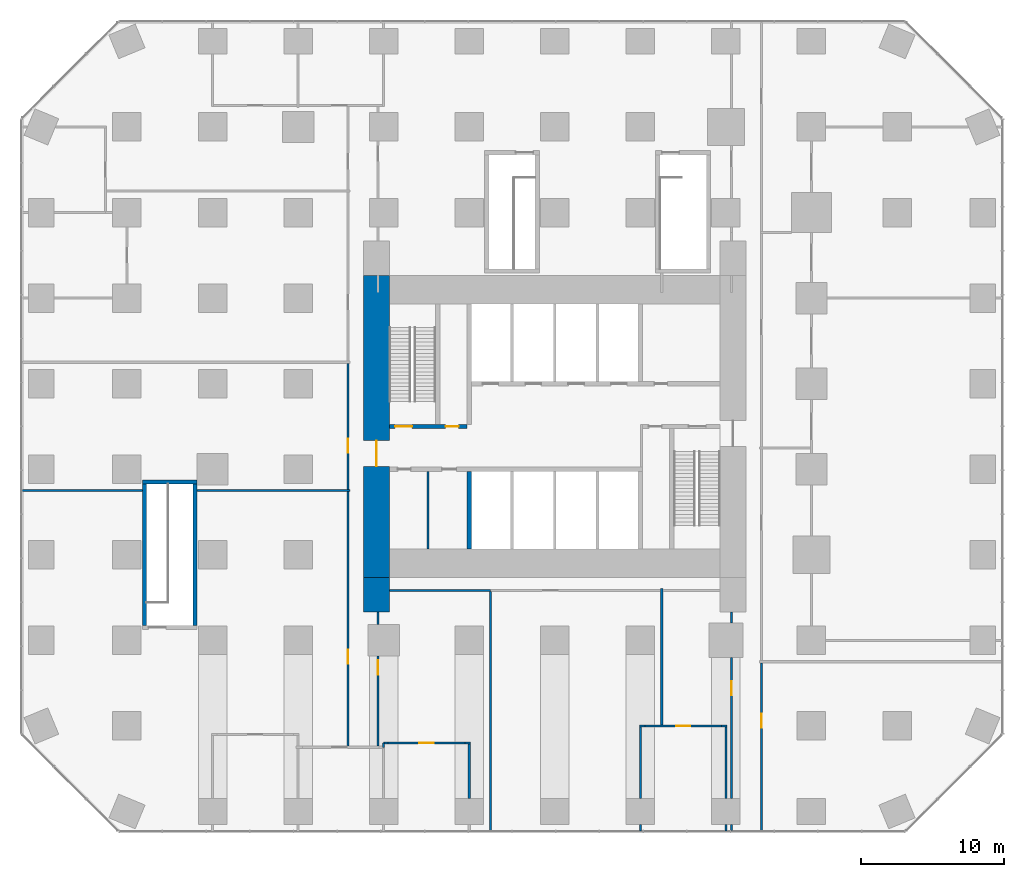
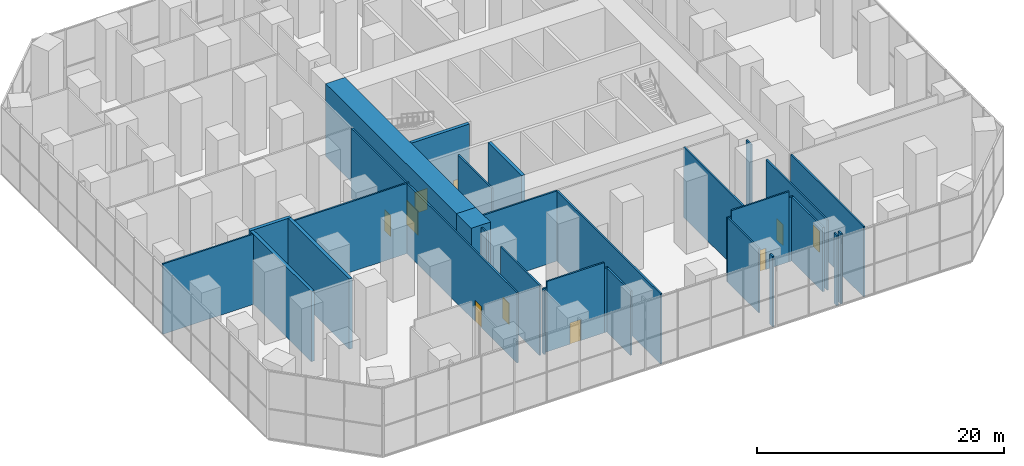
# One storey, part 12 of 16: 33 walls, 10 doors, 10 openings.
"""IFC4 building model written with IfcOpenShell, lengths in metres."""

from ifc_helpers import new_model, si_unit, direction, frame, frame_2d, origin, place, context, subcontext, project, spatial, rectangle, extrude, material, layer, layer_set, type_object, element, fill, save


model = new_model("IFC4")

# Units and contexts
model_context = context("Model", 3, precision=1e-05, world=origin(), true_north=direction((0.0, 1.0)))
body_context = subcontext(model_context, "Body", "Model", "MODEL_VIEW")
ifc_project = project(units=[si_unit("LENGTHUNIT", "METRE"), si_unit("AREAUNIT", "SQUARE_METRE"), si_unit("VOLUMEUNIT", "CUBIC_METRE"), si_unit("PLANEANGLEUNIT", "RADIAN"), si_unit("MASSUNIT", "GRAM", prefix="KILO")], contexts=[model_context])

# Site, building, storey
site_placement = place(None, origin())
site = spatial("IfcSite", under=ifc_project, at=site_placement, CompositionType="ELEMENT")
building_placement = place(site_placement, origin())
building = spatial("IfcBuilding", under=site, at=building_placement, Name="Highveld Stack Headquarters", CompositionType="ELEMENT")
storey_placement = place(building_placement, frame((0.0, 0.0, 11.0)))
storey = spatial("IfcBuildingStorey", under=building, at=storey_placement, Name="L02", CompositionType="ELEMENT", Elevation=11.0)

# Wall, opening, door
ifc_material_1 = material(Name="Concrete C60/75", Category="concrete")
ifc_layer_1 = layer(ifc_material_1, 1.800048828125)
ifc_layer_set_1 = layer_set([ifc_layer_1], Name="Concrete C60/75")
wall_type_1 = type_object("IfcWallType", Name="CORE WALL 1800 C60/75", PredefinedType="SHEAR", material=ifc_layer_set_1)
wall_1_placement = place(storey_placement, frame((-6.5, -7.60009765625, 0.0), z_axis=(0.0, 0.0, 1.0), x_axis=(0.0, 1.0, 0.0)))
wall_1 = element("IfcWall", 1, at=wall_1_placement, inside=storey, type_object=wall_type_1, Name="Core wall W L02", PredefinedType="SHEAR", context=body_context, shape_type="SweptSolid", body=[
    extrude(rectangle(XDim=21.2001953125, YDim=1.800048828125, at=frame_2d((10.60009765625, 0.0))), origin(), (0.0, 0.0, 1.0), 7.199951171875),
])
opening_1_placement = place(wall_1_placement, frame((7.800048828125, 0.0, 0.0)))
opening_1 = element("IfcOpeningElement", 2, at=opening_1_placement, cuts=wall_1, Name="Opening L02-01", PredefinedType="OPENING", context=body_context, shape_type="SweptSolid", body=[
    extrude(rectangle(XDim=1.800048828125, YDim=2.39990234375, at=frame_2d((0.89990234375, 1.199951171875))), frame((0.0, 0.909912109375, 0.0), z_axis=(0.0, -1.0, 0.0), x_axis=(1.0, 0.0, 0.0)), (0.0, 0.0, 1.0), 1.820068359375),
])
ifc_material_2 = material(Name="Steel fire door", Category="steel")
door_type_1 = type_object("IfcDoorType", Name="LOBBY FIRE DOOR D4 1800x2400", OperationType="DOUBLE_DOOR_SINGLE_SWING", PredefinedType="DOOR", material=ifc_material_2)
door_1_placement = place(opening_1_placement, origin())
door_1 = element("IfcDoor", 3, at=door_1_placement, inside=storey, type_object=door_type_1, Name="Core west door L02", OperationType="DOUBLE_DOOR_SINGLE_SWING", OverallHeight=2.39990234375, OverallWidth=1.800048828125, PredefinedType="DOOR", context=body_context, shape_type="SweptSolid", body=[
    extrude(rectangle(XDim=1.800048828125, YDim=2.39990234375, at=frame_2d((0.89990234375, 1.199951171875))), frame((0.0, 0.02490234375, 0.0), z_axis=(0.0, -1.0, 0.0), x_axis=(1.0, 0.0, 0.0)), (0.0, 0.0, 1.0), 0.050048828125),
])
fill(opening_1, door_1)

# Wall, openings, doors
ifc_material_3 = material(Name="Concrete C60/75", Category="concrete")
ifc_layer_2 = layer(ifc_material_3, 0.300048828125)
ifc_layer_set_2 = layer_set([ifc_layer_2], Name="Concrete C60/75")
wall_type_2 = type_object("IfcWallType", Name="CORE WALL 300 C60/75", PredefinedType="SHEAR", material=ifc_layer_set_2)
wall_2_placement = place(storey_placement, frame((-5.60009765625, 3.0, 0.0), z_axis=(0.0, 0.0, 1.0), x_axis=(1.0, 0.0, 0.0)))
wall_2 = element("IfcWall", 4, at=wall_2_placement, inside=storey, type_object=wall_type_2, Name="Core wall I-Y3W L02", PredefinedType="SHEAR", context=body_context, shape_type="SweptSolid", body=[
    extrude(rectangle(XDim=5.4501953125, YDim=0.300048828125, at=frame_2d((2.72509765625, 0.0))), origin(), (0.0, 0.0, 1.0), 7.199951171875),
])
opening_2_placement = place(wall_2_placement, frame((0.39990234375, 0.0, 0.0)))
opening_2 = element("IfcOpeningElement", 5, at=opening_2_placement, cuts=wall_2, Name="Opening L02-03", PredefinedType="OPENING", context=body_context, shape_type="SweptSolid", body=[
    extrude(rectangle(XDim=1.199951171875, YDim=2.10009765625, at=frame_2d((0.60009765625, 1.050048828125))), frame((0.0, 0.159912109375, 0.0), z_axis=(0.0, -1.0, 0.0), x_axis=(1.0, 0.0, 0.0)), (0.0, 0.0, 1.0), 0.320068359375),
])
opening_3_placement = place(wall_2_placement, frame((3.949951171875, 0.0, 0.0)))
opening_3 = element("IfcOpeningElement", 6, at=opening_3_placement, cuts=wall_2, Name="Opening L02-04", PredefinedType="OPENING", context=body_context, shape_type="SweptSolid", body=[
    extrude(rectangle(XDim=0.89990234375, YDim=2.10009765625, at=frame_2d((0.449951171875, 1.050048828125))), frame((0.0, 0.159912109375, 0.0), z_axis=(0.0, -1.0, 0.0), x_axis=(1.0, 0.0, 0.0)), (0.0, 0.0, 1.0), 0.320068359375),
])
ifc_material_4 = material(Name="Steel fire door", Category="steel")
door_type_2 = type_object("IfcDoorType", Name="RISER ACCESS DOOR D5 900x2100", OperationType="SINGLE_SWING_LEFT", PredefinedType="DOOR", material=ifc_material_4)
door_2_placement = place(opening_3_placement, origin())
door_2 = element("IfcDoor", 7, at=door_2_placement, inside=storey, type_object=door_type_2, Name="Riser R1 door L02", OperationType="SINGLE_SWING_RIGHT", OverallHeight=2.10009765625, OverallWidth=0.89990234375, PredefinedType="DOOR", context=body_context, shape_type="SweptSolid", body=[
    extrude(rectangle(XDim=0.89990234375, YDim=2.10009765625, at=frame_2d((0.449951171875, 1.050048828125))), frame((0.0, 0.02490234375, 0.0), z_axis=(0.0, -1.0, 0.0), x_axis=(1.0, 0.0, 0.0)), (0.0, 0.0, 1.0), 0.050048828125),
])
fill(opening_3, door_2)
ifc_material_5 = material(Name="Steel fire door", Category="steel")
door_type_3 = type_object("IfcDoorType", Name="STAIR FIRE DOOR D3 1200x2100", OperationType="SINGLE_SWING_LEFT", PredefinedType="DOOR", material=ifc_material_5)
door_3_placement = place(opening_2_placement, origin())
door_3 = element("IfcDoor", 8, at=door_3_placement, inside=storey, type_object=door_type_3, Name="Stair S1 door L02", OperationType="SINGLE_SWING_LEFT", OverallHeight=2.10009765625, OverallWidth=1.199951171875, PredefinedType="DOOR", context=body_context, shape_type="SweptSolid", body=[
    extrude(rectangle(XDim=1.199951171875, YDim=2.10009765625, at=frame_2d((0.60009765625, 1.050048828125))), frame((0.0, 0.02490234375, 0.0), z_axis=(0.0, -1.0, 0.0), x_axis=(1.0, 0.0, 0.0)), (0.0, 0.0, 1.0), 0.050048828125),
])
fill(opening_2, door_3)

# Walls
wall_3_placement = place(storey_placement, frame((0.0, -5.60009765625, 0.0), z_axis=(0.0, 0.0, 1.0), x_axis=(0.0, 1.0, 0.0)))
element("IfcWall", 9, at=wall_3_placement, inside=storey, type_object=wall_type_2, Name="Core wall I-X0S L02", PredefinedType="SHEAR", context=body_context, shape_type="SweptSolid", body=[
    extrude(rectangle(XDim=5.4501953125, YDim=0.300048828125, at=frame_2d((2.72509765625, 0.0))), origin(), (0.0, 0.0, 1.0), 7.199951171875),
])
ifc_material_6 = material(Name="Concrete C60/75", Category="concrete")
ifc_layer_3 = layer(ifc_material_6, 1.800048828125)
ifc_layer_set_3 = layer_set([ifc_layer_3], Name="Concrete C60/75")
wall_type_3 = type_object("IfcWallType", Name="CORE WING WALL 1800 C60/75", PredefinedType="SHEAR", material=ifc_layer_set_3)
wall_4_placement = place(storey_placement, frame((-6.5, -10.0, 0.0), z_axis=(0.0, 0.0, 1.0), x_axis=(0.0, 1.0, 0.0)))
element("IfcWall", 10, at=wall_4_placement, inside=storey, type_object=wall_type_3, Name="Core wing wall WS L02", PredefinedType="SHEAR", context=body_context, shape_type="SweptSolid", body=[
    extrude(rectangle(XDim=2.39990234375, YDim=1.800048828125, at=frame_2d((1.199951171875, 0.0))), origin(), (0.0, 0.0, 1.0), 7.199951171875),
])
ifc_material_7 = material(Name="Laminated glass in aluminium frame", Category="aluminium")
ifc_layer_4 = layer(ifc_material_7, 0.14990234375)
ifc_layer_set_4 = layer_set([ifc_layer_4], Name="Laminated glass in aluminium frame")
wall_type_4 = type_object("IfcWallType", Name="GLAZED PARTITION 150", PredefinedType="PARTITIONING", material=ifc_layer_set_4)
wall_5_placement = place(storey_placement, frame((11.925048828125, -18.0, 0.0), z_axis=(0.0, 0.0, 1.0), x_axis=(1.0, 0.0, 0.0)))
element("IfcWall", 11, at=wall_5_placement, inside=storey, type_object=wall_type_4, Name="Glazed partition Meeting room L02", PredefinedType="PARTITIONING", context=body_context, shape_type="SweptSolid", body=[
    extrude(rectangle(XDim=0.385009765625, YDim=0.14990234375, at=frame_2d((0.1923828125, 0.0))), origin(), (0.0, 0.0, 1.0), 6.35009765625),
])

# Wall, opening, door
wall_6_placement = place(storey_placement, frame((12.31005859375, -18.0, 0.0), z_axis=(0.0, 0.0, 1.0), x_axis=(1.0, 0.0, 0.0)))
wall_6 = element("IfcWall", 12, at=wall_6_placement, inside=storey, type_object=wall_type_4, Name="Glazed partition Meeting room L02", PredefinedType="PARTITIONING", context=body_context, shape_type="SweptSolid", body=[
    extrude(rectangle(XDim=5.3798828125, YDim=0.14990234375, at=frame_2d((2.68994140625, 0.0))), origin(), (0.0, 0.0, 1.0), 6.949951171875),
])
opening_4_placement = place(wall_6_placement, frame((2.18994140625, 0.0, 0.0)))
opening_4 = element("IfcOpeningElement", 13, at=opening_4_placement, cuts=wall_6, Name="Opening L02-20", PredefinedType="OPENING", context=body_context, shape_type="SweptSolid", body=[
    extrude(rectangle(XDim=1.0, YDim=2.10009765625, at=frame_2d((0.5, 1.050048828125))), frame((0.0, 0.0849609375, 0.0), z_axis=(0.0, -1.0, 0.0), x_axis=(1.0, 0.0, 0.0)), (0.0, 0.0, 1.0), 0.169921875),
])
ifc_material_8 = material(Name="Timber door, oiled ash", Category="wood")
door_type_4 = type_object("IfcDoorType", Name="ROOM DOOR D6 1000x2100", OperationType="SINGLE_SWING_LEFT", PredefinedType="DOOR", material=ifc_material_8)
door_4_placement = place(opening_4_placement, origin())
door_4 = element("IfcDoor", 14, at=door_4_placement, inside=storey, type_object=door_type_4, Name="Meeting room door 1 L02", OperationType="SINGLE_SWING_LEFT", OverallHeight=2.10009765625, OverallWidth=1.0, PredefinedType="DOOR", context=body_context, shape_type="SweptSolid", body=[
    extrude(rectangle(XDim=1.0, YDim=2.10009765625, at=frame_2d((0.5, 1.050048828125))), frame((0.0, 0.02490234375, 0.0), z_axis=(0.0, -1.0, 0.0), x_axis=(1.0, 0.0, 0.0)), (0.0, 0.0, 1.0), 0.050048828125),
])
fill(opening_4, door_4)

# Walls
wall_7_placement = place(storey_placement, frame((17.68994140625, -18.0, 0.0), z_axis=(0.0, 0.0, 1.0), x_axis=(1.0, 0.0, 0.0)))
element("IfcWall", 15, at=wall_7_placement, inside=storey, type_object=wall_type_4, Name="Glazed partition Meeting room L02", PredefinedType="PARTITIONING", context=body_context, shape_type="SweptSolid", body=[
    extrude(rectangle(XDim=0.385009765625, YDim=0.14990234375, at=frame_2d((0.1923828125, 0.0))), origin(), (0.0, 0.0, 1.0), 6.35009765625),
])
ifc_material_9 = material(Name="Gypsum plasterboard on steel studs", Category="steel")
ifc_layer_5 = layer(ifc_material_9, 0.14990234375)
ifc_layer_set_5 = layer_set([ifc_layer_5], Name="Gypsum plasterboard on steel studs")
wall_type_5 = type_object("IfcWallType", Name="PARTITION 150 PLASTERBOARD", PredefinedType="PARTITIONING", material=ifc_layer_set_5)
wall_8_placement = place(storey_placement, frame((-6.0, -19.199951171875, 0.0), z_axis=(0.0, 0.0, 1.0), x_axis=(1.0, 0.0, 0.0)))
element("IfcWall", 16, at=wall_8_placement, inside=storey, type_object=wall_type_5, Name="Partition Tea kitchen L02", PredefinedType="PARTITIONING", context=body_context, shape_type="SweptSolid", body=[
    extrude(rectangle(XDim=0.31005859375, YDim=0.14990234375, at=frame_2d((0.155029296875, 0.0))), origin(), (0.0, 0.0, 1.0), 6.35009765625),
])

# Wall, opening, door
wall_9_placement = place(storey_placement, frame((-5.68994140625, -19.199951171875, 0.0), z_axis=(0.0, 0.0, 1.0), x_axis=(1.0, 0.0, 0.0)))
wall_9 = element("IfcWall", 17, at=wall_9_placement, inside=storey, type_object=wall_type_5, Name="Partition Tea kitchen L02", PredefinedType="PARTITIONING", context=body_context, shape_type="SweptSolid", body=[
    extrude(rectangle(XDim=5.3798828125, YDim=0.14990234375, at=frame_2d((2.68994140625, 0.0))), origin(), (0.0, 0.0, 1.0), 6.949951171875),
])
opening_5_placement = place(wall_9_placement, frame((2.18994140625, 0.0, 0.0)))
opening_5 = element("IfcOpeningElement", 18, at=opening_5_placement, cuts=wall_9, Name="Opening L02-19", PredefinedType="OPENING", context=body_context, shape_type="SweptSolid", body=[
    extrude(rectangle(XDim=1.0, YDim=2.10009765625, at=frame_2d((0.5, 1.050048828125))), frame((0.0, 0.0849609375, 0.0), z_axis=(0.0, -1.0, 0.0), x_axis=(1.0, 0.0, 0.0)), (0.0, 0.0, 1.0), 0.169921875),
])
door_5_placement = place(opening_5_placement, origin())
door_5 = element("IfcDoor", 19, at=door_5_placement, inside=storey, type_object=door_type_4, Name="Tea kitchen door 1 L02", OperationType="SINGLE_SWING_RIGHT", OverallHeight=2.10009765625, OverallWidth=1.0, PredefinedType="DOOR", context=body_context, shape_type="SweptSolid", body=[
    extrude(rectangle(XDim=1.0, YDim=2.10009765625, at=frame_2d((0.5, 1.050048828125))), frame((0.0, 0.02490234375, 0.0), z_axis=(0.0, -1.0, 0.0), x_axis=(1.0, 0.0, 0.0)), (0.0, 0.0, 1.0), 0.050048828125),
])
fill(opening_5, door_5)

# Walls
wall_10_placement = place(storey_placement, frame((-0.31005859375, -19.199951171875, 0.0), z_axis=(0.0, 0.0, 1.0), x_axis=(1.0, 0.0, 0.0)))
element("IfcWall", 20, at=wall_10_placement, inside=storey, type_object=wall_type_5, Name="Partition Tea kitchen L02", PredefinedType="PARTITIONING", context=body_context, shape_type="SweptSolid", body=[
    extrude(rectangle(XDim=0.385009765625, YDim=0.14990234375, at=frame_2d((0.1923828125, 0.0))), origin(), (0.0, 0.0, 1.0), 6.35009765625),
])
wall_11_placement = place(storey_placement, frame((-6.0, -19.5, 0.0), z_axis=(0.0, 0.0, 1.0), x_axis=(0.0, 1.0, 0.0)))
element("IfcWall", 21, at=wall_11_placement, inside=storey, type_object=wall_type_5, Name="Partition Tea kitchen L02", PredefinedType="PARTITIONING", context=body_context, shape_type="SweptSolid", body=[
    extrude(rectangle(XDim=0.300048828125, YDim=0.14990234375, at=frame_2d((0.14990234375, 0.0))), origin(), (0.0, 0.0, 1.0), 6.35009765625),
])
wall_12_placement = place(storey_placement, frame((0.0, -23.10009765625, 0.0), z_axis=(0.0, 0.0, 1.0), x_axis=(0.0, 1.0, 0.0)))
element("IfcWall", 22, at=wall_12_placement, inside=storey, type_object=wall_type_5, Name="Partition Tea kitchen L02", PredefinedType="PARTITIONING", context=body_context, shape_type="SweptSolid", body=[
    extrude(rectangle(XDim=3.8251953125, YDim=0.14990234375, at=frame_2d((1.91259765625, 0.0))), origin(), (0.0, 0.0, 1.0), 6.35009765625),
])
wall_13_placement = place(storey_placement, frame((12.0, -25.375, 0.0), z_axis=(0.0, 0.0, 1.0), x_axis=(0.0, 1.0, 0.0)))
element("IfcWall", 23, at=wall_13_placement, inside=storey, type_object=wall_type_5, Name="Partition Meeting room L02", PredefinedType="PARTITIONING", context=body_context, shape_type="SweptSolid", body=[
    extrude(rectangle(XDim=0.47509765625, YDim=0.14990234375, at=frame_2d((0.237548828125, 0.0))), origin(), (0.0, 0.0, 1.0), 6.949951171875),
])
wall_14_placement = place(storey_placement, frame((12.0, -23.10009765625, 0.0), z_axis=(0.0, 0.0, 1.0), x_axis=(0.0, 1.0, 0.0)))
element("IfcWall", 24, at=wall_14_placement, inside=storey, type_object=wall_type_5, Name="Partition Meeting room L02", PredefinedType="PARTITIONING", context=body_context, shape_type="SweptSolid", body=[
    extrude(rectangle(XDim=5.025146484375, YDim=0.14990234375, at=frame_2d((2.5126953125, 0.0))), origin(), (0.0, 0.0, 1.0), 6.35009765625),
])
wall_15_placement = place(storey_placement, frame((18.0, -25.375, 0.0), z_axis=(0.0, 0.0, 1.0), x_axis=(0.0, 1.0, 0.0)))
element("IfcWall", 25, at=wall_15_placement, inside=storey, type_object=wall_type_5, Name="Partition Meeting room L02", PredefinedType="PARTITIONING", context=body_context, shape_type="SweptSolid", body=[
    extrude(rectangle(XDim=0.47509765625, YDim=0.14990234375, at=frame_2d((0.237548828125, 0.0))), origin(), (0.0, 0.0, 1.0), 6.949951171875),
])
wall_16_placement = place(storey_placement, frame((18.0, -23.10009765625, 0.0), z_axis=(0.0, 0.0, 1.0), x_axis=(0.0, 1.0, 0.0)))
element("IfcWall", 26, at=wall_16_placement, inside=storey, type_object=wall_type_5, Name="Partition Meeting room L02", PredefinedType="PARTITIONING", context=body_context, shape_type="SweptSolid", body=[
    extrude(rectangle(XDim=5.025146484375, YDim=0.14990234375, at=frame_2d((2.5126953125, 0.0))), origin(), (0.0, 0.0, 1.0), 6.35009765625),
])
wall_17_placement = place(storey_placement, frame((-31.375, -1.5, 0.0), z_axis=(0.0, 0.0, 1.0), x_axis=(1.0, 0.0, 0.0)))
element("IfcWall", 27, at=wall_17_placement, inside=storey, type_object=wall_type_5, Name="Partition office neighbourhood L02", PredefinedType="PARTITIONING", context=body_context, shape_type="SweptSolid", body=[
    extrude(rectangle(XDim=8.449951171875, YDim=0.14990234375, at=frame_2d((4.22509765625, 0.0))), origin(), (0.0, 0.0, 1.0), 6.949951171875),
])
wall_18_placement = place(storey_placement, frame((-19.074951171875, -1.5, 0.0), z_axis=(0.0, 0.0, 1.0), x_axis=(1.0, 0.0, 0.0)))
element("IfcWall", 28, at=wall_18_placement, inside=storey, type_object=wall_type_5, Name="Partition office neighbourhood L02", PredefinedType="PARTITIONING", context=body_context, shape_type="SweptSolid", body=[
    extrude(rectangle(XDim=10.724853515625, YDim=0.14990234375, at=frame_2d((5.3623046875, 0.0))), origin(), (0.0, 0.0, 1.0), 6.949951171875),
])

# Wall, opening, door
wall_19_placement = place(storey_placement, frame((-8.5, -19.425048828125, 0.0), z_axis=(0.0, 0.0, 1.0), x_axis=(0.0, 1.0, 0.0)))
wall_19 = element("IfcWall", 29, at=wall_19_placement, inside=storey, type_object=wall_type_5, Name="Partition office neighbourhood L02", PredefinedType="PARTITIONING", context=body_context, shape_type="SweptSolid", body=[
    extrude(rectangle(XDim=17.85009765625, YDim=0.14990234375, at=frame_2d((8.925048828125, 0.0))), origin(), (0.0, 0.0, 1.0), 6.949951171875),
])
opening_6_placement = place(wall_19_placement, frame((5.77392578125, 0.0, 0.0)))
opening_6 = element("IfcOpeningElement", 30, at=opening_6_placement, cuts=wall_19, Name="Opening L02-28", PredefinedType="OPENING", context=body_context, shape_type="SweptSolid", body=[
    extrude(rectangle(XDim=1.0, YDim=2.10009765625, at=frame_2d((0.5, 1.050048828125))), frame((0.0, 0.0849609375, 0.0), z_axis=(0.0, -1.0, 0.0), x_axis=(1.0, 0.0, 0.0)), (0.0, 0.0, 1.0), 0.169921875),
])
door_6_placement = place(opening_6_placement, origin())
door_6 = element("IfcDoor", 31, at=door_6_placement, inside=storey, type_object=door_type_4, Name="Office neighbourhood door L02", OperationType="SINGLE_SWING_LEFT", OverallHeight=2.10009765625, OverallWidth=1.0, PredefinedType="DOOR", context=body_context, shape_type="SweptSolid", body=[
    extrude(rectangle(XDim=1.0, YDim=2.10009765625, at=frame_2d((0.5, 1.050048828125))), frame((0.0, 0.02490234375, 0.0), z_axis=(0.0, -1.0, 0.0), x_axis=(1.0, 0.0, 0.0)), (0.0, 0.0, 1.0), 0.050048828125),
])
fill(opening_6, door_6)

wall_20_placement = place(storey_placement, frame((-8.5, -1.425048828125, 0.0), z_axis=(0.0, 0.0, 1.0), x_axis=(0.0, 1.0, 0.0)))
wall_20 = element("IfcWall", 32, at=wall_20_placement, inside=storey, type_object=wall_type_5, Name="Partition office neighbourhood L02", PredefinedType="PARTITIONING", context=body_context, shape_type="SweptSolid", body=[
    extrude(rectangle(XDim=8.85009765625, YDim=0.14990234375, at=frame_2d((4.425048828125, 0.0))), origin(), (0.0, 0.0, 1.0), 6.949951171875),
])
opening_7_placement = place(wall_20_placement, frame((2.574951171875, 0.0, 0.0)))
opening_7 = element("IfcOpeningElement", 33, at=opening_7_placement, cuts=wall_20, Name="Opening L02-30", PredefinedType="OPENING", context=body_context, shape_type="SweptSolid", body=[
    extrude(rectangle(XDim=1.0, YDim=2.10009765625, at=frame_2d((0.5, 1.050048828125))), frame((0.0, 0.0849609375, 0.0), z_axis=(0.0, -1.0, 0.0), x_axis=(1.0, 0.0, 0.0)), (0.0, 0.0, 1.0), 0.169921875),
])
door_7_placement = place(opening_7_placement, origin())
door_7 = element("IfcDoor", 34, at=door_7_placement, inside=storey, type_object=door_type_4, Name="Office neighbourhood door L02", OperationType="SINGLE_SWING_LEFT", OverallHeight=2.10009765625, OverallWidth=1.0, PredefinedType="DOOR", context=body_context, shape_type="SweptSolid", body=[
    extrude(rectangle(XDim=1.0, YDim=2.10009765625, at=frame_2d((0.5, 1.050048828125))), frame((0.0, 0.02490234375, 0.0), z_axis=(0.0, -1.0, 0.0), x_axis=(1.0, 0.0, 0.0)), (0.0, 0.0, 1.0), 0.050048828125),
])
fill(opening_7, door_7)

wall_21_placement = place(storey_placement, frame((-6.39990234375, -19.425048828125, 0.0), z_axis=(0.0, 0.0, 1.0), x_axis=(0.0, 1.0, 0.0)))
wall_21 = element("IfcWall", 35, at=wall_21_placement, inside=storey, type_object=wall_type_5, Name="Partition office neighbourhood L02", PredefinedType="PARTITIONING", context=body_context, shape_type="SweptSolid", body=[
    extrude(rectangle(XDim=6.324951171875, YDim=0.14990234375, at=frame_2d((3.16259765625, 0.0))), origin(), (0.0, 0.0, 1.0), 6.949951171875),
])
opening_8_placement = place(wall_21_placement, frame((5.02490234375, 0.0, 0.0)))
opening_8 = element("IfcOpeningElement", 36, at=opening_8_placement, cuts=wall_21, Name="Opening L02-26", PredefinedType="OPENING", context=body_context, shape_type="SweptSolid", body=[
    extrude(rectangle(XDim=1.0, YDim=2.10009765625, at=frame_2d((0.5, 1.050048828125))), frame((0.0, 0.0849609375, 0.0), z_axis=(0.0, -1.0, 0.0), x_axis=(1.0, 0.0, 0.0)), (0.0, 0.0, 1.0), 0.169921875),
])
door_8_placement = place(opening_8_placement, origin())
door_8 = element("IfcDoor", 37, at=door_8_placement, inside=storey, type_object=door_type_4, Name="Office neighbourhood door L02", OperationType="SINGLE_SWING_RIGHT", OverallHeight=2.10009765625, OverallWidth=1.0, PredefinedType="DOOR", context=body_context, shape_type="SweptSolid", body=[
    extrude(rectangle(XDim=1.0, YDim=2.10009765625, at=frame_2d((0.5, 1.050048828125))), frame((0.0, 0.02490234375, 0.0), z_axis=(0.0, -1.0, 0.0), x_axis=(1.0, 0.0, 0.0)), (0.0, 0.0, 1.0), 0.050048828125),
])
fill(opening_8, door_8)

# Walls
wall_22_placement = place(storey_placement, frame((-6.39990234375, -10.89990234375, 0.0), z_axis=(0.0, 0.0, 1.0), x_axis=(0.0, 1.0, 0.0)))
element("IfcWall", 38, at=wall_22_placement, inside=storey, type_object=wall_type_5, Name="Partition office neighbourhood L02", PredefinedType="PARTITIONING", context=body_context, shape_type="SweptSolid", body=[
    extrude(rectangle(XDim=0.89990234375, YDim=0.14990234375, at=frame_2d((0.449951171875, 0.0))), origin(), (0.0, 0.0, 1.0), 6.949951171875),
])
wall_23_placement = place(storey_placement, frame((-5.60009765625, -8.5, 0.0), z_axis=(0.0, 0.0, 1.0), x_axis=(1.0, 0.0, 0.0)))
element("IfcWall", 39, at=wall_23_placement, inside=storey, type_object=wall_type_5, Name="Partition office neighbourhood L02", PredefinedType="PARTITIONING", context=body_context, shape_type="SweptSolid", body=[
    extrude(rectangle(XDim=7.10009765625, YDim=0.14990234375, at=frame_2d((3.550048828125, 0.0))), origin(), (0.0, 0.0, 1.0), 6.949951171875),
])
wall_24_placement = place(storey_placement, frame((1.5, -25.375, 0.0), z_axis=(0.0, 0.0, 1.0), x_axis=(0.0, 1.0, 0.0)))
element("IfcWall", 40, at=wall_24_placement, inside=storey, type_object=wall_type_5, Name="Partition office neighbourhood L02", PredefinedType="PARTITIONING", context=body_context, shape_type="SweptSolid", body=[
    extrude(rectangle(XDim=16.800048828125, YDim=0.14990234375, at=frame_2d((8.39990234375, 0.0))), origin(), (0.0, 0.0, 1.0), 6.949951171875),
])
wall_25_placement = place(storey_placement, frame((13.5, -17.925048828125, 0.0), z_axis=(0.0, 0.0, 1.0), x_axis=(0.0, 1.0, 0.0)))
element("IfcWall", 41, at=wall_25_placement, inside=storey, type_object=wall_type_5, Name="Partition office neighbourhood L02", PredefinedType="PARTITIONING", context=body_context, shape_type="SweptSolid", body=[
    extrude(rectangle(XDim=9.574951171875, YDim=0.14990234375, at=frame_2d((4.78759765625, 0.0))), origin(), (0.0, 0.0, 1.0), 6.949951171875),
])
wall_26_placement = place(storey_placement, frame((18.39990234375, -25.35009765625, 0.0), z_axis=(0.0, 0.0, 1.0), x_axis=(0.0, 1.0, 0.0)))
element("IfcWall", 42, at=wall_26_placement, inside=storey, type_object=wall_type_5, Name="Partition office neighbourhood L02", PredefinedType="PARTITIONING", context=body_context, shape_type="SweptSolid", body=[
    extrude(rectangle(XDim=0.4501953125, YDim=0.14990234375, at=frame_2d((0.22509765625, 0.0))), origin(), (0.0, 0.0, 1.0), 6.949951171875),
])

# Wall, opening, door
wall_27_placement = place(storey_placement, frame((18.39990234375, -23.10009765625, 0.0), z_axis=(0.0, 0.0, 1.0), x_axis=(0.0, 1.0, 0.0)))
wall_27 = element("IfcWall", 43, at=wall_27_placement, inside=storey, type_object=wall_type_5, Name="Partition office neighbourhood L02", PredefinedType="PARTITIONING", context=body_context, shape_type="SweptSolid", body=[
    extrude(rectangle(XDim=9.900146484375, YDim=0.14990234375, at=frame_2d((4.9501953125, 0.0))), origin(), (0.0, 0.0, 1.0), 6.949951171875),
])
opening_9_placement = place(wall_27_placement, frame((7.2451171875, 0.0, 0.0)))
opening_9 = element("IfcOpeningElement", 44, at=opening_9_placement, cuts=wall_27, Name="Opening L02-27", PredefinedType="OPENING", context=body_context, shape_type="SweptSolid", body=[
    extrude(rectangle(XDim=1.0, YDim=2.10009765625, at=frame_2d((0.5, 1.050048828125))), frame((0.0, 0.0849609375, 0.0), z_axis=(0.0, -1.0, 0.0), x_axis=(1.0, 0.0, 0.0)), (0.0, 0.0, 1.0), 0.169921875),
])
door_9_placement = place(opening_9_placement, origin())
door_9 = element("IfcDoor", 45, at=door_9_placement, inside=storey, type_object=door_type_4, Name="Office neighbourhood door L02", OperationType="SINGLE_SWING_RIGHT", OverallHeight=2.10009765625, OverallWidth=1.0, PredefinedType="DOOR", context=body_context, shape_type="SweptSolid", body=[
    extrude(rectangle(XDim=1.0, YDim=2.10009765625, at=frame_2d((0.5, 1.050048828125))), frame((0.0, 0.02490234375, 0.0), z_axis=(0.0, -1.0, 0.0), x_axis=(1.0, 0.0, 0.0)), (0.0, 0.0, 1.0), 0.050048828125),
])
fill(opening_9, door_9)

# Wall
wall_28_placement = place(storey_placement, frame((18.39990234375, -10.800048828125, 0.0), z_axis=(0.0, 0.0, 1.0), x_axis=(0.0, 1.0, 0.0)))
element("IfcWall", 46, at=wall_28_placement, inside=storey, type_object=wall_type_5, Name="Partition office neighbourhood L02", PredefinedType="PARTITIONING", context=body_context, shape_type="SweptSolid", body=[
    extrude(rectangle(XDim=0.800048828125, YDim=0.14990234375, at=frame_2d((0.39990234375, 0.0))), origin(), (0.0, 0.0, 1.0), 6.949951171875),
])

# Wall, opening, door
wall_29_placement = place(storey_placement, frame((20.5, -25.375, 0.0), z_axis=(0.0, 0.0, 1.0), x_axis=(0.0, 1.0, 0.0)))
wall_29 = element("IfcWall", 47, at=wall_29_placement, inside=storey, type_object=wall_type_5, Name="Partition office neighbourhood L02", PredefinedType="PARTITIONING", context=body_context, shape_type="SweptSolid", body=[
    extrude(rectangle(XDim=11.800048828125, YDim=0.14990234375, at=frame_2d((5.89990234375, 0.0))), origin(), (0.0, 0.0, 1.0), 6.949951171875),
])
opening_10_placement = place(wall_29_placement, frame((7.2451171875, 0.0, 0.0)))
opening_10 = element("IfcOpeningElement", 48, at=opening_10_placement, cuts=wall_29, Name="Opening L02-25", PredefinedType="OPENING", context=body_context, shape_type="SweptSolid", body=[
    extrude(rectangle(XDim=1.0, YDim=2.10009765625, at=frame_2d((0.5, 1.050048828125))), frame((0.0, 0.0849609375, 0.0), z_axis=(0.0, -1.0, 0.0), x_axis=(1.0, 0.0, 0.0)), (0.0, 0.0, 1.0), 0.169921875),
])
door_10_placement = place(opening_10_placement, origin())
door_10 = element("IfcDoor", 49, at=door_10_placement, inside=storey, type_object=door_type_4, Name="Office neighbourhood door L02", OperationType="SINGLE_SWING_RIGHT", OverallHeight=2.10009765625, OverallWidth=1.0, PredefinedType="DOOR", context=body_context, shape_type="SweptSolid", body=[
    extrude(rectangle(XDim=1.0, YDim=2.10009765625, at=frame_2d((0.5, 1.050048828125))), frame((0.0, 0.02490234375, 0.0), z_axis=(0.0, -1.0, 0.0), x_axis=(1.0, 0.0, 0.0)), (0.0, 0.0, 1.0), 0.050048828125),
])
fill(opening_10, door_10)

# Walls
ifc_material_10 = material(Name="Concrete blockwork, plastered", Category="masonry")
ifc_layer_6 = layer(ifc_material_10, 0.300048828125)
ifc_layer_set_6 = layer_set([ifc_layer_6], Name="Concrete blockwork, plastered")
wall_type_6 = type_object("IfcWallType", Name="STAIR ENCLOSURE HEAD WALL 300 BLOCKWORK", PredefinedType="PARTITIONING", material=ifc_layer_set_6)
wall_30_placement = place(storey_placement, frame((-22.925048828125, -0.89990234375, 0.0), z_axis=(0.0, 0.0, 1.0), x_axis=(1.0, 0.0, 0.0)))
element("IfcWall", 50, at=wall_30_placement, inside=storey, type_object=wall_type_6, Name="Stair PS1 enclosure N L02", PredefinedType="PARTITIONING", context=body_context, shape_type="SweptSolid", body=[
    extrude(rectangle(XDim=3.85009765625, YDim=0.300048828125, at=frame_2d((1.925048828125, 0.0))), origin(), (0.0, 0.0, 1.0), 6.949951171875),
])
for number, where, z_axis, x_axis, name in (
    (51, (-22.77490234375, -10.949951171875, 0.0), (0.0, 0.0, 1.0), (0.0, 1.0, 0.0), "Stair PS1 enclosure W L02"),
    (52, (-19.22509765625, -10.949951171875, 0.0), (0.0, 0.0, 1.0), (0.0, 1.0, 0.0), "Stair PS1 enclosure E L02"),
):
    element("IfcWall", number, at=place(storey_placement, frame(where, z_axis=z_axis, x_axis=x_axis)), inside=storey, type_object=wall_type_6, Name=name, PredefinedType="PARTITIONING", context=body_context, shape_type="SweptSolid", body=[
        extrude(rectangle(XDim=9.89990234375, YDim=0.300048828125, at=frame_2d((4.949951171875, 0.0))), origin(), (0.0, 0.0, 1.0), 6.949951171875),
    ])
ifc_material_11 = material(Name="Concrete blockwork, tiled", Category="masonry")
ifc_layer_7 = layer(ifc_material_11, 0.14990234375)
ifc_layer_set_7 = layer_set([ifc_layer_7], Name="Concrete blockwork, tiled")
wall_type_7 = type_object("IfcWallType", Name="WC PARTITION 150", PredefinedType="PLUMBINGWALL", material=ifc_layer_set_7)
wall_31_placement = place(storey_placement, frame((-2.89990234375, -5.60009765625, 0.0), z_axis=(0.0, 0.0, 1.0), x_axis=(0.0, 1.0, 0.0)))
element("IfcWall", 53, at=wall_31_placement, inside=storey, type_object=wall_type_7, Name="Toilet partition L02", PredefinedType="PLUMBINGWALL", context=body_context, shape_type="SweptSolid", body=[
    extrude(rectangle(XDim=5.4501953125, YDim=0.14990234375, at=frame_2d((2.72509765625, 0.0))), origin(), (0.0, 0.0, 1.0), 6.949951171875),
])

save(model, "model.ifc")
